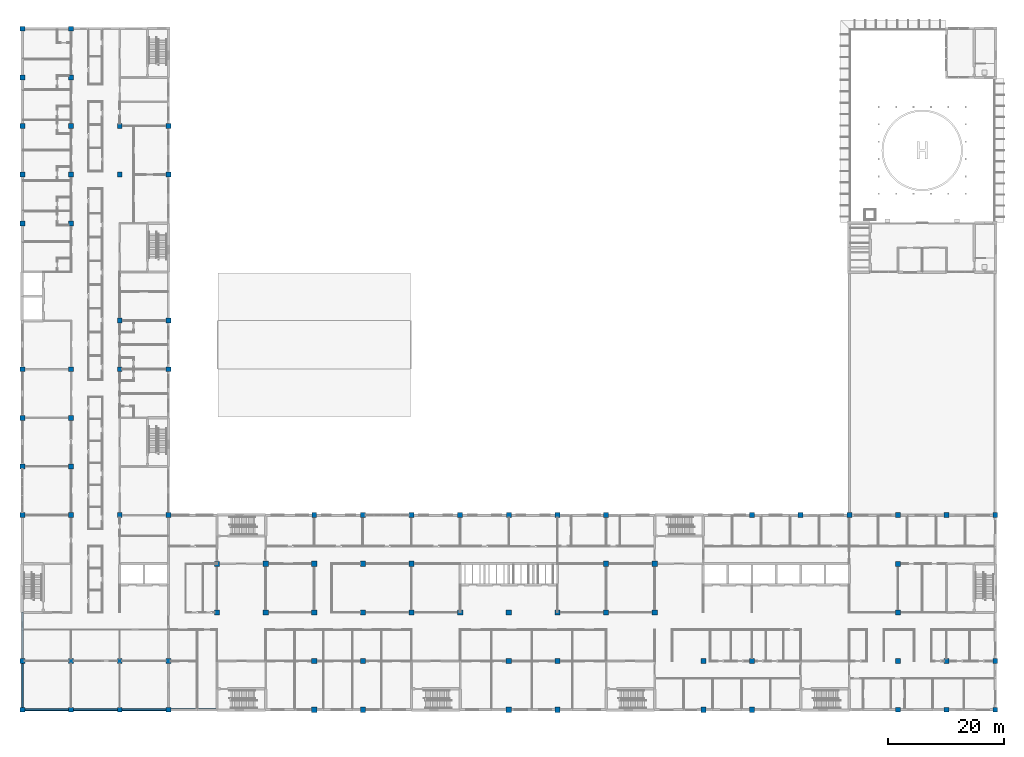
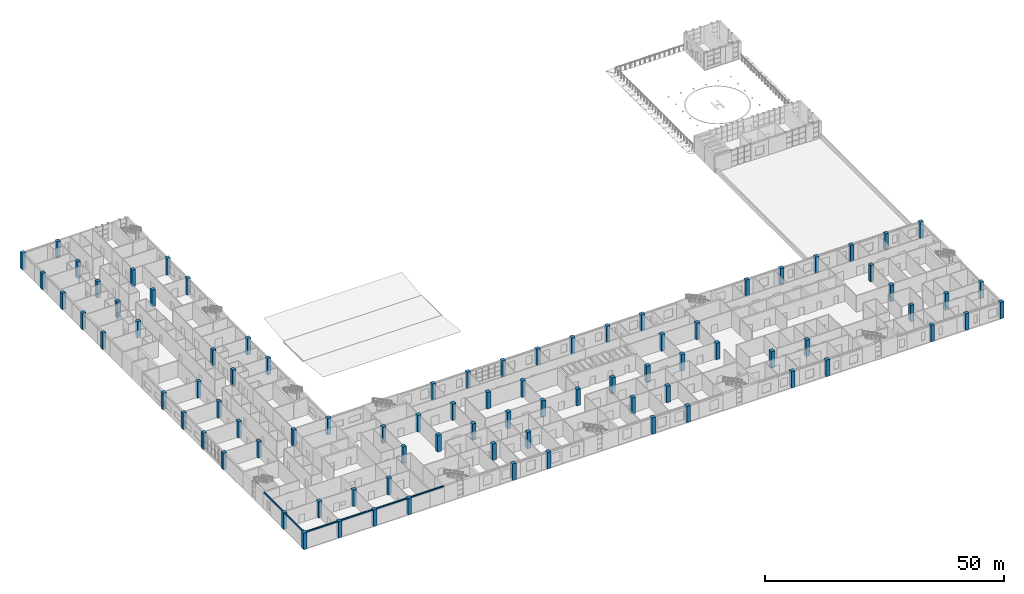
# One storey, part 1 of 66: 86 columns, 6 beams.
"""IFC4 building model written with IfcOpenShell, lengths in metres."""

from ifc_helpers import new_model, si_unit, direction, frame, origin, origin_2d, place, context, subcontext, project, spatial, rectangle, extrude, material, material_profile, profile_set, type_object, element, save


model = new_model("IFC4")

# Units and contexts
model_context = context("Model", 3, precision=1e-05, world=origin(), true_north=direction((0.0, 1.0)))
body_context = subcontext(model_context, "Body", "Model", "MODEL_VIEW")
ifc_project = project(units=[si_unit("LENGTHUNIT", "METRE"), si_unit("AREAUNIT", "SQUARE_METRE"), si_unit("VOLUMEUNIT", "CUBIC_METRE"), si_unit("PLANEANGLEUNIT", "RADIAN"), si_unit("MASSUNIT", "GRAM", prefix="KILO")], contexts=[model_context])

# Site, building, storey
site_placement = place(None, origin())
site = spatial("IfcSite", under=ifc_project, at=site_placement, CompositionType="ELEMENT")
building_placement = place(site_placement, origin())
building = spatial("IfcBuilding", under=site, at=building_placement, Name="Yavir Park General Hospital", CompositionType="ELEMENT")
storey_placement = place(building_placement, frame((0.0, 0.0, 8.39990234375)))
storey = spatial("IfcBuildingStorey", under=building, at=storey_placement, Name="L02", CompositionType="ELEMENT", Elevation=8.39990234375)

# Columns
ifc_material_1 = material(Name="Concrete C40/50", Category="concrete")
ifc_material_profile_1 = material_profile(ifc_material_1, rectangle(XDim=0.85009765625, YDim=0.85009765625, at=origin_2d()), Name="RC850x850")
ifc_profile_set_1 = profile_set([ifc_material_profile_1], Name="Concrete C40/50")
column_type_1 = type_object("IfcColumnType", Name="RC COLUMN 850x850", PredefinedType="COLUMN", material=ifc_profile_set_1)
for number, where, z_axis, x_axis, name in (
    (1, (0.0, 0.0, 0.0), (0.0, 0.0, 1.0), (1.0, 0.0, 0.0), "C:L02:1A"),
    (2, (8.39990234375, 0.0, 0.0), (0.0, 0.0, 1.0), (1.0, 0.0, 0.0), "C:L02:2A"),
    (3, (16.800048828125, 0.0, 0.0), (0.0, 0.0, 1.0), (1.0, 0.0, 0.0), "C:L02:3A"),
    (4, (25.199951171875, 0.0, 0.0), (0.0, 0.0, 1.0), (1.0, 0.0, 0.0), "C:L02:4A"),
    (5, (151.199951171875, 0.0, 0.0), (0.0, 0.0, 1.0), (1.0, 0.0, 0.0), "C:L02:19A"),
    (6, (159.60009765625, 0.0, 0.0), (0.0, 0.0, 1.0), (1.0, 0.0, 0.0), "C:L02:20A"),
    (7, (168.0, 0.0, 0.0), (0.0, 0.0, 1.0), (1.0, 0.0, 0.0), "C:L02:21A"),
    (8, (0.0, 8.39990234375, 0.0), (0.0, 0.0, 1.0), (1.0, 0.0, 0.0), "C:L02:1B"),
    (9, (8.39990234375, 8.39990234375, 0.0), (0.0, 0.0, 1.0), (1.0, 0.0, 0.0), "C:L02:2B"),
    (10, (16.800048828125, 8.39990234375, 0.0), (0.0, 0.0, 1.0), (1.0, 0.0, 0.0), "C:L02:3B"),
    (11, (25.199951171875, 8.39990234375, 0.0), (0.0, 0.0, 1.0), (1.0, 0.0, 0.0), "C:L02:4B"),
    (12, (151.199951171875, 8.39990234375, 0.0), (0.0, 0.0, 1.0), (1.0, 0.0, 0.0), "C:L02:19B"),
    (13, (159.60009765625, 8.39990234375, 0.0), (0.0, 0.0, 1.0), (1.0, 0.0, 0.0), "C:L02:20B"),
    (14, (168.0, 8.39990234375, 0.0), (0.0, 0.0, 1.0), (1.0, 0.0, 0.0), "C:L02:21B"),
    (15, (33.60009765625, 16.800048828125, 0.0), (0.0, 0.0, 1.0), (1.0, 0.0, 0.0), "C:L02:5C"),
    (16, (151.199951171875, 16.800048828125, 0.0), (0.0, 0.0, 1.0), (1.0, 0.0, 0.0), "C:L02:19C"),
    (17, (151.199951171875, 25.199951171875, 0.0), (0.0, 0.0, 1.0), (1.0, 0.0, 0.0), "C:L02:19D"),
    (18, (0.0, 33.60009765625, 0.0), (0.0, 0.0, 1.0), (1.0, 0.0, 0.0), "C:L02:1E"),
    (19, (8.39990234375, 33.60009765625, 0.0), (0.0, 0.0, 1.0), (1.0, 0.0, 0.0), "C:L02:2E"),
    (20, (16.800048828125, 33.60009765625, 0.0), (0.0, 0.0, 1.0), (1.0, 0.0, 0.0), "C:L02:3E"),
    (21, (25.199951171875, 33.60009765625, 0.0), (0.0, 0.0, 1.0), (1.0, 0.0, 0.0), "C:L02:4E"),
    (22, (50.39990234375, 33.60009765625, 0.0), (0.0, 0.0, 1.0), (1.0, 0.0, 0.0), "C:L02:7E"),
    (23, (58.800048828125, 33.60009765625, 0.0), (0.0, 0.0, 1.0), (1.0, 0.0, 0.0), "C:L02:8E"),
    (24, (67.199951171875, 33.60009765625, 0.0), (0.0, 0.0, 1.0), (1.0, 0.0, 0.0), "C:L02:9E"),
    (25, (75.60009765625, 33.60009765625, 0.0), (0.0, 0.0, 1.0), (1.0, 0.0, 0.0), "C:L02:10E"),
    (26, (84.0, 33.60009765625, 0.0), (0.0, 0.0, 1.0), (1.0, 0.0, 0.0), "C:L02:11E"),
    (27, (92.39990234375, 33.60009765625, 0.0), (0.0, 0.0, 1.0), (1.0, 0.0, 0.0), "C:L02:12E"),
    (28, (100.800048828125, 33.60009765625, 0.0), (0.0, 0.0, 1.0), (1.0, 0.0, 0.0), "C:L02:13E"),
    (29, (126.0, 33.60009765625, 0.0), (0.0, 0.0, 1.0), (1.0, 0.0, 0.0), "C:L02:16E"),
    (30, (134.39990234375, 33.60009765625, 0.0), (0.0, 0.0, 1.0), (1.0, 0.0, 0.0), "C:L02:17E"),
    (31, (142.800048828125, 33.60009765625, 0.0), (0.0, 0.0, 1.0), (1.0, 0.0, 0.0), "C:L02:18E"),
    (32, (151.199951171875, 33.60009765625, 0.0), (0.0, 0.0, 1.0), (1.0, 0.0, 0.0), "C:L02:19E"),
    (33, (159.60009765625, 33.60009765625, 0.0), (0.0, 0.0, 1.0), (1.0, 0.0, 0.0), "C:L02:20E"),
    (34, (168.0, 33.60009765625, 0.0), (0.0, 0.0, 1.0), (1.0, 0.0, 0.0), "C:L02:21E"),
    (35, (0.0, 42.0, 0.0), (0.0, 0.0, 1.0), (1.0, 0.0, 0.0), "C:L02:1F"),
    (36, (8.39990234375, 42.0, 0.0), (0.0, 0.0, 1.0), (1.0, 0.0, 0.0), "C:L02:2F"),
    (37, (0.0, 50.39990234375, 0.0), (0.0, 0.0, 1.0), (1.0, 0.0, 0.0), "C:L02:1G"),
    (38, (8.39990234375, 50.39990234375, 0.0), (0.0, 0.0, 1.0), (1.0, 0.0, 0.0), "C:L02:2G"),
    (39, (0.0, 58.800048828125, 0.0), (0.0, 0.0, 1.0), (1.0, 0.0, 0.0), "C:L02:1H"),
    (40, (8.39990234375, 58.800048828125, 0.0), (0.0, 0.0, 1.0), (1.0, 0.0, 0.0), "C:L02:2H"),
    (41, (16.800048828125, 58.800048828125, 0.0), (0.0, 0.0, 1.0), (1.0, 0.0, 0.0), "C:L02:3H"),
    (42, (25.199951171875, 58.800048828125, 0.0), (0.0, 0.0, 1.0), (1.0, 0.0, 0.0), "C:L02:4H"),
    (43, (16.800048828125, 67.199951171875, 0.0), (0.0, 0.0, 1.0), (1.0, 0.0, 0.0), "C:L02:3J"),
    (44, (25.199951171875, 67.199951171875, 0.0), (0.0, 0.0, 1.0), (1.0, 0.0, 0.0), "C:L02:4J"),
    (45, (0.0, 84.0, 0.0), (0.0, 0.0, 1.0), (1.0, 0.0, 0.0), "C:L02:1L"),
    (46, (8.39990234375, 84.0, 0.0), (0.0, 0.0, 1.0), (1.0, 0.0, 0.0), "C:L02:2L"),
    (47, (0.0, 92.39990234375, 0.0), (0.0, 0.0, 1.0), (1.0, 0.0, 0.0), "C:L02:1M"),
    (48, (8.39990234375, 92.39990234375, 0.0), (0.0, 0.0, 1.0), (1.0, 0.0, 0.0), "C:L02:2M"),
    (49, (16.800048828125, 92.39990234375, 0.0), (0.0, 0.0, 1.0), (1.0, 0.0, 0.0), "C:L02:3M"),
    (50, (25.199951171875, 92.39990234375, 0.0), (0.0, 0.0, 1.0), (1.0, 0.0, 0.0), "C:L02:4M"),
    (51, (0.0, 100.800048828125, 0.0), (0.0, 0.0, 1.0), (1.0, 0.0, 0.0), "C:L02:1N"),
    (52, (8.39990234375, 100.800048828125, 0.0), (0.0, 0.0, 1.0), (1.0, 0.0, 0.0), "C:L02:2N"),
    (53, (16.800048828125, 100.800048828125, 0.0), (0.0, 0.0, 1.0), (1.0, 0.0, 0.0), "C:L02:3N"),
    (54, (25.199951171875, 100.800048828125, 0.0), (0.0, 0.0, 1.0), (1.0, 0.0, 0.0), "C:L02:4N"),
    (55, (0.0, 109.199951171875, 0.0), (0.0, 0.0, 1.0), (1.0, 0.0, 0.0), "C:L02:1P"),
    (56, (8.39990234375, 109.199951171875, 0.0), (0.0, 0.0, 1.0), (1.0, 0.0, 0.0), "C:L02:2P"),
    (57, (0.0, 117.60009765625, 0.0), (0.0, 0.0, 1.0), (1.0, 0.0, 0.0), "C:L02:1Q"),
    (58, (8.39990234375, 117.60009765625, 0.0), (0.0, 0.0, 1.0), (1.0, 0.0, 0.0), "C:L02:2Q"),
    (59, (33.60009765625, 25.199951171875, 0.0), (0.0, 0.0, 1.0), (1.0, 0.0, 0.0), "C:L02:5D"),
):
    element("IfcColumn", number, at=place(storey_placement, frame(where, z_axis=z_axis, x_axis=x_axis)), inside=storey, type_object=column_type_1, Name=name, PredefinedType="COLUMN", context=body_context, shape_type="SweptSolid", body=[
        extrude(rectangle(XDim=0.85009765625, YDim=0.85009765625, at=origin_2d()), origin(), (0.0, 0.0, 1.0), 4.2001953125),
    ])
ifc_material_2 = material(Name="Concrete C40/50", Category="concrete")
ifc_material_profile_2 = material_profile(ifc_material_2, rectangle(XDim=0.89990234375, YDim=0.89990234375, at=origin_2d()), Name="RC900x900")
ifc_profile_set_2 = profile_set([ifc_material_profile_2], Name="Concrete C40/50")
column_type_2 = type_object("IfcColumnType", Name="RC COLUMN 900x900", PredefinedType="COLUMN", material=ifc_profile_set_2)
for number, where, z_axis, x_axis, name in (
    (60, (50.39990234375, 0.0, 0.0), (0.0, 0.0, 1.0), (1.0, 0.0, 0.0), "C:L02:7A"),
    (61, (58.800048828125, 0.0, 0.0), (0.0, 0.0, 1.0), (1.0, 0.0, 0.0), "C:L02:8A"),
    (62, (84.0, 0.0, 0.0), (0.0, 0.0, 1.0), (1.0, 0.0, 0.0), "C:L02:11A"),
    (63, (92.39990234375, 0.0, 0.0), (0.0, 0.0, 1.0), (1.0, 0.0, 0.0), "C:L02:12A"),
    (64, (117.60009765625, 0.0, 0.0), (0.0, 0.0, 1.0), (1.0, 0.0, 0.0), "C:L02:15A"),
    (65, (126.0, 0.0, 0.0), (0.0, 0.0, 1.0), (1.0, 0.0, 0.0), "C:L02:16A"),
    (66, (50.39990234375, 8.39990234375, 0.0), (0.0, 0.0, 1.0), (1.0, 0.0, 0.0), "C:L02:7B"),
    (67, (58.800048828125, 8.39990234375, 0.0), (0.0, 0.0, 1.0), (1.0, 0.0, 0.0), "C:L02:8B"),
    (68, (84.0, 8.39990234375, 0.0), (0.0, 0.0, 1.0), (1.0, 0.0, 0.0), "C:L02:11B"),
    (69, (92.39990234375, 8.39990234375, 0.0), (0.0, 0.0, 1.0), (1.0, 0.0, 0.0), "C:L02:12B"),
    (70, (117.60009765625, 8.39990234375, 0.0), (0.0, 0.0, 1.0), (1.0, 0.0, 0.0), "C:L02:15B"),
    (71, (126.0, 8.39990234375, 0.0), (0.0, 0.0, 1.0), (1.0, 0.0, 0.0), "C:L02:16B"),
    (72, (42.0, 16.800048828125, 0.0), (0.0, 0.0, 1.0), (1.0, 0.0, 0.0), "C:L02:6C"),
    (73, (50.39990234375, 16.800048828125, 0.0), (0.0, 0.0, 1.0), (1.0, 0.0, 0.0), "C:L02:7C"),
    (74, (58.800048828125, 16.800048828125, 0.0), (0.0, 0.0, 1.0), (1.0, 0.0, 0.0), "C:L02:8C"),
    (75, (67.199951171875, 16.800048828125, 0.0), (0.0, 0.0, 1.0), (1.0, 0.0, 0.0), "C:L02:9C"),
    (76, (100.800048828125, 16.800048828125, 0.0), (0.0, 0.0, 1.0), (1.0, 0.0, 0.0), "C:L02:13C"),
    (77, (109.199951171875, 16.800048828125, 0.0), (0.0, 0.0, 1.0), (1.0, 0.0, 0.0), "C:L02:14C"),
    (78, (50.39990234375, 25.199951171875, 0.0), (0.0, 0.0, 1.0), (1.0, 0.0, 0.0), "C:L02:7D"),
    (79, (58.800048828125, 25.199951171875, 0.0), (0.0, 0.0, 1.0), (1.0, 0.0, 0.0), "C:L02:8D"),
    (80, (67.199951171875, 25.199951171875, 0.0), (0.0, 0.0, 1.0), (1.0, 0.0, 0.0), "C:L02:9D"),
    (81, (100.800048828125, 25.199951171875, 0.0), (0.0, 0.0, 1.0), (1.0, 0.0, 0.0), "C:L02:13D"),
    (82, (75.60009765625, 16.800048828125, 0.0), (0.0, 0.0, 1.0), (1.0, 0.0, 0.0), "C:L02:10C"),
    (83, (84.0, 16.800048828125, 0.0), (0.0, 0.0, 1.0), (1.0, 0.0, 0.0), "C:L02:11C"),
    (84, (92.39990234375, 16.800048828125, 0.0), (0.0, 0.0, 1.0), (1.0, 0.0, 0.0), "C:L02:12C"),
    (85, (42.0, 25.199951171875, 0.0), (0.0, 0.0, 1.0), (1.0, 0.0, 0.0), "C:L02:6D"),
    (86, (109.199951171875, 25.199951171875, 0.0), (0.0, 0.0, 1.0), (1.0, 0.0, 0.0), "C:L02:14D"),
):
    element("IfcColumn", number, at=place(storey_placement, frame(where, z_axis=z_axis, x_axis=x_axis)), inside=storey, type_object=column_type_2, Name=name, PredefinedType="COLUMN", context=body_context, shape_type="SweptSolid", body=[
        extrude(rectangle(XDim=0.89990234375, YDim=0.89990234375, at=origin_2d()), origin(), (0.0, 0.0, 1.0), 4.2001953125),
    ])

# Beams
ifc_material_3 = material(Name="Concrete C35/45", Category="concrete")
ifc_material_profile_3 = material_profile(ifc_material_3, rectangle(XDim=0.300048828125, YDim=0.300048828125, at=origin_2d()), Name="RC300x300")
ifc_profile_set_3 = profile_set([ifc_material_profile_3], Name="Concrete C35/45")
beam_type = type_object("IfcBeamType", Name="RC BEAM 300x300 edge beam", PredefinedType="BEAM", material=ifc_profile_set_3)
for number, where, z_axis, x_axis, name in (
    (87, (0.425048828125, 0.0, 4.050048828125), (1.0, 0.0, 0.0), (0.0, 1.0, 0.0), "B:EDGE:L02:001"),
    (88, (8.824951171875, 0.0, 4.050048828125), (1.0, 0.0, 0.0), (0.0, 1.0, 0.0), "B:EDGE:L02:002"),
):
    element("IfcBeam", number, at=place(storey_placement, frame(where, z_axis=z_axis, x_axis=x_axis)), inside=storey, type_object=beam_type, Name=name, PredefinedType="BEAM", context=body_context, shape_type="SweptSolid", body=[
        extrude(rectangle(XDim=0.300048828125, YDim=0.300048828125, at=origin_2d()), origin(), (0.0, 0.0, 1.0), 7.550048828125),
    ])
beam_1_placement = place(storey_placement, frame((17.22509765625, 0.0, 4.050048828125), z_axis=(1.0, 0.0, 0.0), x_axis=(0.0, 1.0, 0.0)))
element("IfcBeam", 89, at=beam_1_placement, inside=storey, type_object=beam_type, Name="B:EDGE:L02:003", PredefinedType="BEAM", context=body_context, shape_type="SweptSolid", body=[
    extrude(rectangle(XDim=0.300048828125, YDim=0.300048828125, at=origin_2d()), origin(), (0.0, 0.0, 1.0), 7.5498046875),
])
beam_2_placement = place(storey_placement, frame((25.625, 0.0, 4.050048828125), z_axis=(1.0, 0.0, 0.0), x_axis=(0.0, 1.0, 0.0)))
element("IfcBeam", 90, at=beam_2_placement, inside=storey, type_object=beam_type, Name="B:EDGE:L02:004", PredefinedType="BEAM", context=body_context, shape_type="SweptSolid", body=[
    extrude(rectangle(XDim=0.300048828125, YDim=0.300048828125, at=origin_2d()), origin(), (0.0, 0.0, 1.0), 7.97509765625),
])
beam_3_placement = place(storey_placement, frame((0.0, 0.425048828125, 4.050048828125), z_axis=(0.0, 1.0, 0.0), x_axis=(-1.0, 0.0, 0.0)))
element("IfcBeam", 91, at=beam_3_placement, inside=storey, type_object=beam_type, Name="B:EDGE:L02:033", PredefinedType="BEAM", context=body_context, shape_type="SweptSolid", body=[
    extrude(rectangle(XDim=0.300048828125, YDim=0.300048828125, at=origin_2d()), origin(), (0.0, 0.0, 1.0), 7.550048828125),
])
beam_4_placement = place(storey_placement, frame((0.0, 8.824951171875, 4.050048828125), z_axis=(0.0, 1.0, 0.0), x_axis=(-1.0, 0.0, 0.0)))
element("IfcBeam", 92, at=beam_4_placement, inside=storey, type_object=beam_type, Name="B:EDGE:L02:034", PredefinedType="BEAM", context=body_context, shape_type="SweptSolid", body=[
    extrude(rectangle(XDim=0.300048828125, YDim=0.300048828125, at=origin_2d()), origin(), (0.0, 0.0, 1.0), 7.97509765625),
])

save(model, "model.ifc")
